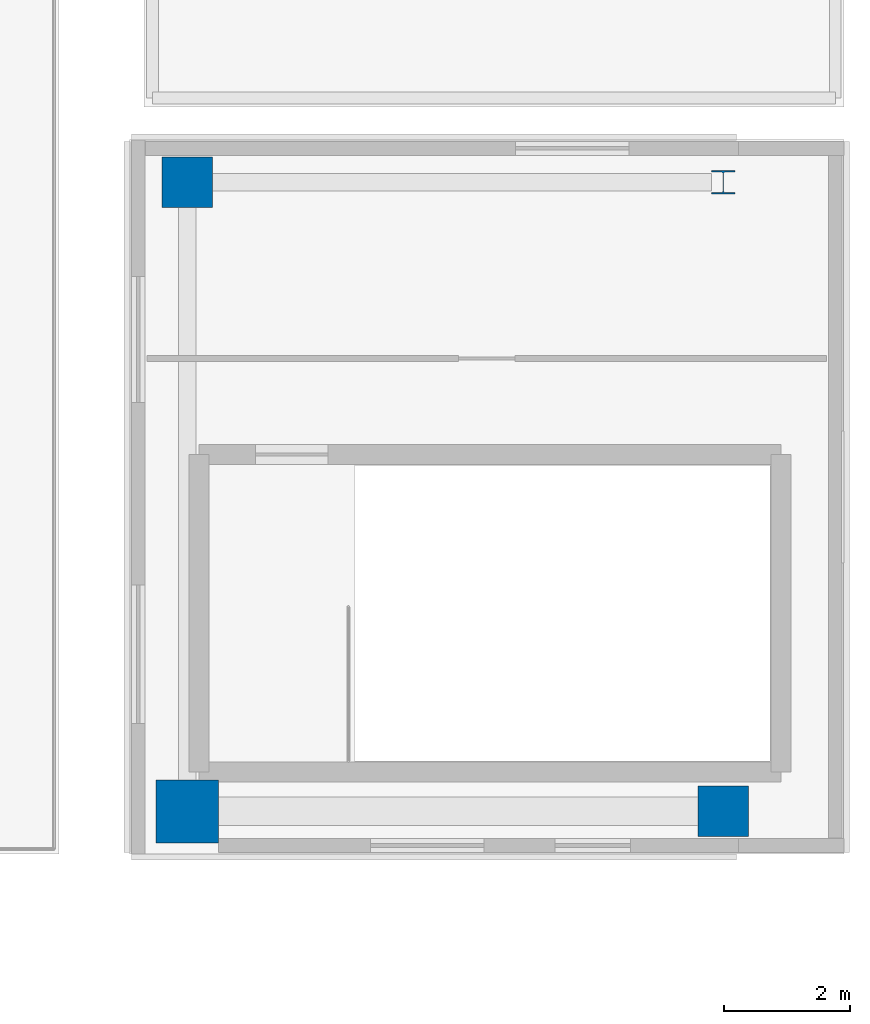
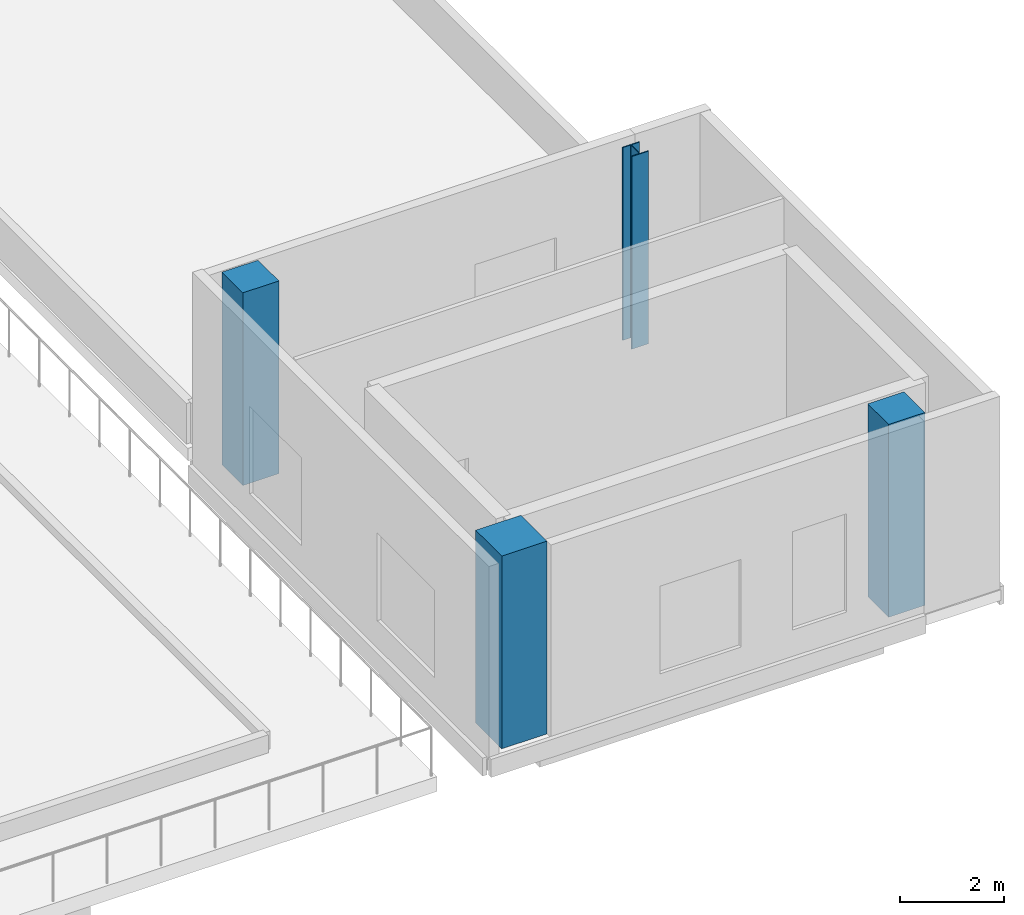
# One storey, part 7 of 41: 4 columns.
"""IFC4 building model written with IfcOpenShell, lengths in metres."""

from ifc_helpers import new_model, si_unit, direction, frame, origin, origin_2d, place, context, subcontext, project, spatial, rectangle, i_section, extrude, material, material_profile, profile_set, type_object, element, save


model = new_model("IFC4")

# Units and contexts
model_context = context("Model", 3, precision=1e-05, world=origin(), true_north=direction((0.0, 1.0)))
body_context = subcontext(model_context, "Body", "Model", "MODEL_VIEW")
ifc_project = project(units=[si_unit("LENGTHUNIT", "METRE"), si_unit("AREAUNIT", "SQUARE_METRE"), si_unit("VOLUMEUNIT", "CUBIC_METRE"), si_unit("PLANEANGLEUNIT", "RADIAN"), si_unit("MASSUNIT", "GRAM", prefix="KILO")], contexts=[model_context])

# Site, building, storey
site_placement = place(None, origin())
site = spatial("IfcSite", under=ifc_project, at=site_placement, CompositionType="ELEMENT")
building_placement = place(site_placement, origin())
building = spatial("IfcBuilding", under=site, at=building_placement, Name="Trimount Lyric Opera House", CompositionType="ELEMENT")
storey_placement = place(building_placement, frame((0.0, 0.0, 20.0)))
storey = spatial("IfcBuildingStorey", under=building, at=storey_placement, Name="L04", CompositionType="ELEMENT", Elevation=20.0)

# Columns
ifc_material_1 = material(Name="Steel ASTM A992 Grade 50", Category="steel")
ifc_material_profile_1 = material_profile(ifc_material_1, i_section(OverallWidth=0.373046875, OverallDepth=0.367919921875, WebThickness=0.014892578125, FlangeThickness=0.02392578125, FilletRadius=0.014892578125, at=origin_2d()), Name="W14X120")
ifc_profile_set_1 = profile_set([ifc_material_profile_1], Name="Steel ASTM A992 Grade 50")
column_type_1 = type_object("IfcColumnType", Name="C-08", PredefinedType="COLUMN", material=ifc_profile_set_1)
column_1_placement = place(storey_placement, frame((156.760009765625, 54.0, 0.0), z_axis=(0.0, 0.0, 1.0), x_axis=(1.0, 0.0, 0.0)))
element("IfcColumn", 1, at=column_1_placement, inside=storey, type_object=column_type_1, Name="L04 column 18/G", PredefinedType="COLUMN", context=body_context, shape_type="SweptSolid", body=[
    extrude(i_section(OverallWidth=0.373046875, OverallDepth=0.367919921875, WebThickness=0.014892578125, FlangeThickness=0.02392578125, FilletRadius=0.014892578125, at=origin_2d()), origin(), (0.0, 0.0, 1.0), 4.510009765625),
])
ifc_material_2 = material(Name="Concrete C50/60", Category="concrete")
ifc_material_profile_2 = material_profile(ifc_material_2, rectangle(XDim=1.0, YDim=1.0, at=origin_2d()), Name="RC1000X1000")
ifc_profile_set_2 = profile_set([ifc_material_profile_2], Name="Concrete C50/60")
column_type_2 = type_object("IfcColumnType", Name="C-12", PredefinedType="COLUMN", material=ifc_profile_set_2)
column_2_placement = place(storey_placement, frame((148.239990234375, 44.0, 0.0), z_axis=(0.0, 0.0, 1.0), x_axis=(1.0, 0.0, 0.0)))
element("IfcColumn", 2, at=column_2_placement, inside=storey, type_object=column_type_2, Name="L04 column 17/F", PredefinedType="COLUMN", context=body_context, shape_type="SweptSolid", body=[
    extrude(rectangle(XDim=1.0, YDim=1.0, at=origin_2d()), origin(), (0.0, 0.0, 1.0), 4.510009765625),
])
ifc_material_3 = material(Name="Concrete C40/50", Category="concrete")
ifc_material_profile_3 = material_profile(ifc_material_3, rectangle(XDim=0.800048828125, YDim=0.800048828125, at=origin_2d()), Name="RC800X800")
ifc_profile_set_3 = profile_set([ifc_material_profile_3], Name="Concrete C40/50")
column_type_3 = type_object("IfcColumnType", Name="C-14", PredefinedType="COLUMN", material=ifc_profile_set_3)
for number, where, z_axis, x_axis, name in (
    (3, (148.239990234375, 54.0, 0.0), (0.0, 0.0, 1.0), (1.0, 0.0, 0.0), "L04 column 17/G"),
    (4, (156.760009765625, 44.0, 0.0), (0.0, 0.0, 1.0), (1.0, 0.0, 0.0), "L04 column 18/F"),
):
    element("IfcColumn", number, at=place(storey_placement, frame(where, z_axis=z_axis, x_axis=x_axis)), inside=storey, type_object=column_type_3, Name=name, PredefinedType="COLUMN", context=body_context, shape_type="SweptSolid", body=[
        extrude(rectangle(XDim=0.800048828125, YDim=0.800048828125, at=origin_2d()), origin(), (0.0, 0.0, 1.0), 4.510009765625),
    ])

save(model, "model.ifc")
